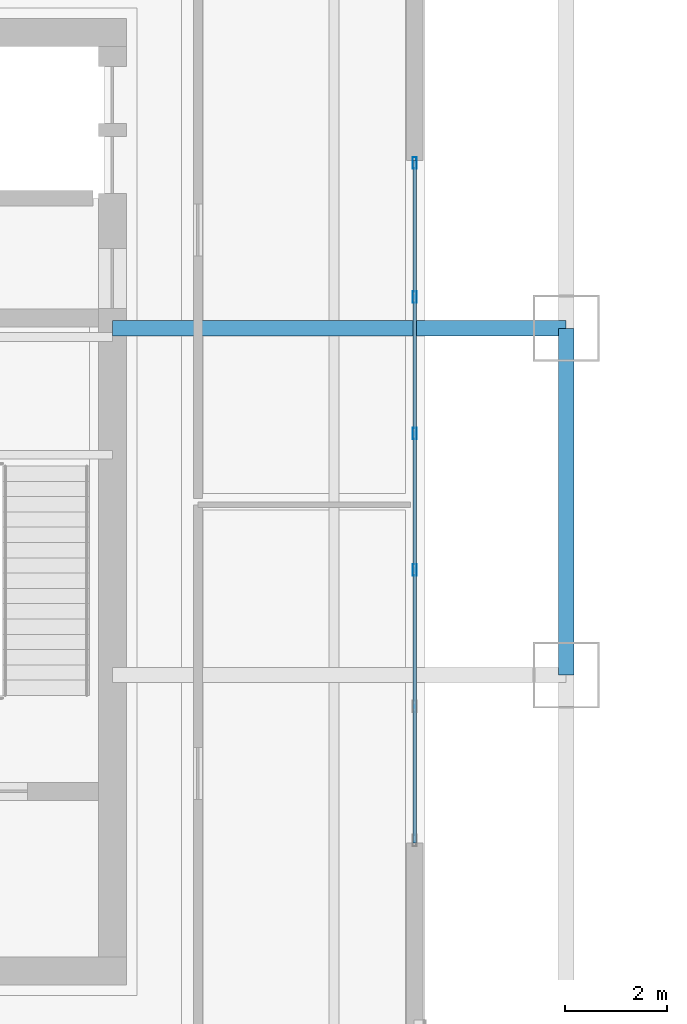
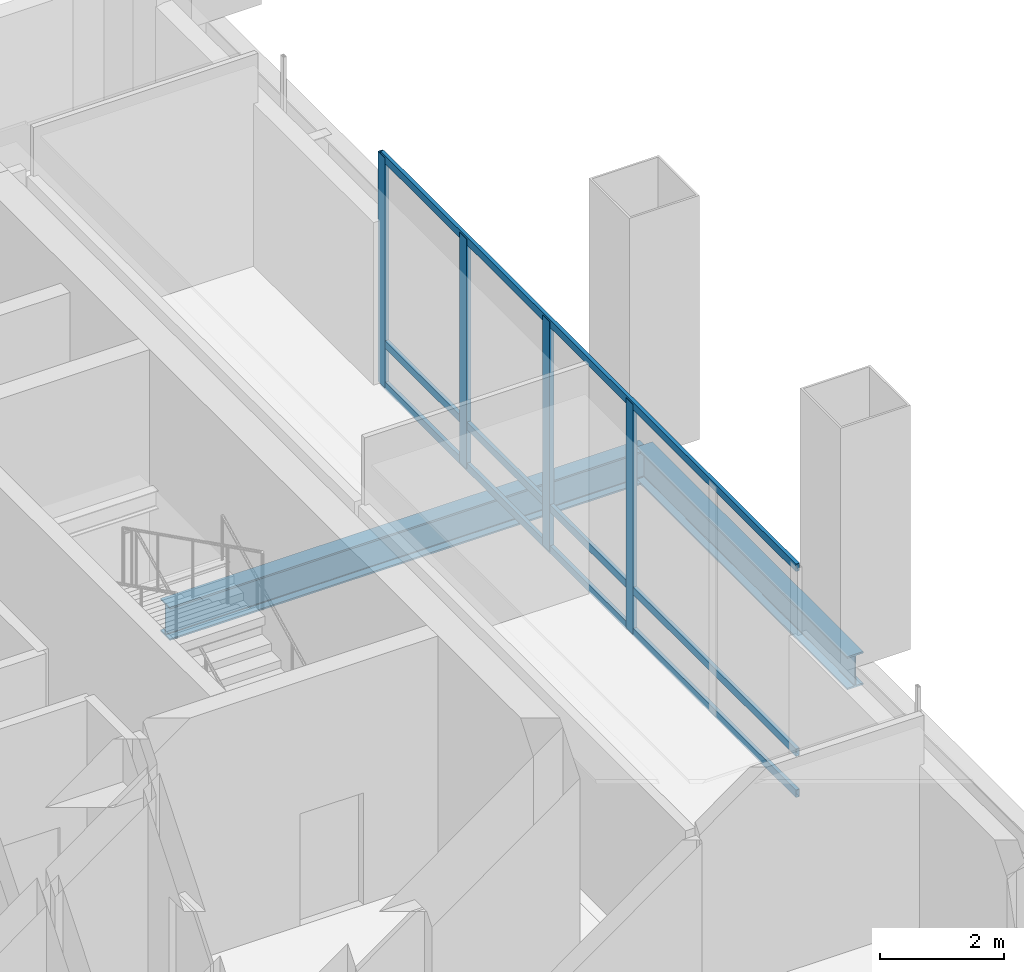
# One storey, part 14 of 33: 7 members, 2 beams, 1 element without a shape of its own.
"""IFC4 building model written with IfcOpenShell, lengths in metres."""

from ifc_helpers import new_model, si_unit, direction, frame, origin, origin_2d, place, context, subcontext, project, spatial, hollow_rectangle, i_section, extrude, material, material_profile, profile_set, type_object, element, aggregate, save


model = new_model("IFC4")

# Units and contexts
model_context = context("Model", 3, precision=1e-05, world=origin(), true_north=direction((0.0, 1.0)))
body_context = subcontext(model_context, "Body", "Model", "MODEL_VIEW")
ifc_project = project(units=[si_unit("LENGTHUNIT", "METRE"), si_unit("AREAUNIT", "SQUARE_METRE"), si_unit("VOLUMEUNIT", "CUBIC_METRE"), si_unit("PLANEANGLEUNIT", "RADIAN"), si_unit("MASSUNIT", "GRAM", prefix="KILO")], contexts=[model_context])

# Site, building, storey
site_placement = place(None, origin())
site = spatial("IfcSite", under=ifc_project, at=site_placement, CompositionType="ELEMENT")
building_placement = place(site_placement, origin())
building = spatial("IfcBuilding", under=site, at=building_placement, Name="Punatoya Terracotta Tower", CompositionType="ELEMENT")
storey_placement = place(building_placement, frame((0.0, 0.0, 246.60009765625)))
storey = spatial("IfcBuildingStorey", under=building, at=storey_placement, Name="L58", CompositionType="ELEMENT", Elevation=246.60009765625)

# Beams
ifc_material_1 = material(Name="Steel S355", Category="steel")
ifc_material_profile_1 = material_profile(ifc_material_1, i_section(OverallWidth=0.300048828125, OverallDepth=0.64990234375, WebThickness=0.01611328125, FlangeThickness=0.031005859375, FilletRadius=0.01806640625, at=origin_2d()))
ifc_profile_set_1 = profile_set([ifc_material_profile_1], Name="Steel S355")
beam_type = type_object("IfcBeamType", Name="BM-PRI-650", PredefinedType="BEAM", material=ifc_profile_set_1)
beam_1_placement = place(storey_placement, frame((19.10009765625, -3.39990234375, -0.585205078125), z_axis=(0.0, 1.0, 0.0), x_axis=(-1.0, 0.0, 0.0)))
element("IfcBeam", 1, at=beam_1_placement, inside=storey, type_object=beam_type, Name="BM-L58-RG-E2", PredefinedType="BEAM", context=body_context, shape_type="SweptSolid", body=[
    extrude(i_section(OverallWidth=0.300048828125, OverallDepth=0.64990234375, WebThickness=0.01611328125, FlangeThickness=0.031005859375, FilletRadius=0.01806640625, at=origin_2d()), origin(), (0.0, 0.0, 1.0), 6.7998046875),
])
beam_2_placement = place(storey_placement, frame((10.199951171875, 3.39990234375, -0.585205078125), z_axis=(1.0, 0.0, 0.0), x_axis=(0.0, 1.0, 0.0)))
element("IfcBeam", 2, at=beam_2_placement, inside=storey, type_object=beam_type, Name="BM-L58-PR-EE", PredefinedType="BEAM", context=body_context, shape_type="SweptSolid", body=[
    extrude(i_section(OverallWidth=0.300048828125, OverallDepth=0.64990234375, WebThickness=0.01611328125, FlangeThickness=0.031005859375, FilletRadius=0.01806640625, at=origin_2d()), origin(), (0.0, 0.0, 1.0), 8.900146484375),
])

# Curtain wall, members
ifc_material_2 = material(Name="Aluminium 6063-T6 + Double Low-E Glass", Category="aluminium")
curtain_wall_type = type_object("IfcCurtainWallType", Name="CW-NCK", PredefinedType="NOTDEFINED", material=ifc_material_2)
curtain_wall_placement = place(storey_placement, origin())
curtain_wall = element("IfcCurtainWall", 3, at=curtain_wall_placement, inside=storey, type_object=curtain_wall_type, Name="L58 Curtain Wall CW-L58-E05-1", PredefinedType="NOTDEFINED")
ifc_material_3 = material(Name="Aluminium 6063-T6", Category="aluminium")
ifc_material_profile_2 = material_profile(ifc_material_3, hollow_rectangle(XDim=0.080078125, YDim=0.22509765625, WallThickness=0.0048828125, at=origin_2d()))
ifc_profile_set_2 = profile_set([ifc_material_profile_2], Name="Aluminium 6063-T6")
member_type_1 = type_object("IfcMemberType", Name="CW-MUL-NCK", PredefinedType="MULLION", material=ifc_profile_set_2)
member_1_placement = place(storey_placement, frame((16.1298828125, -1.337890625, 0.0), z_axis=(0.0, 0.0, 1.0), x_axis=(1.0, 0.0, 0.0)))
member_1 = element("IfcMember", 4, at=member_1_placement, type_object=member_type_1, Name="CW-L58-E05-1 Mullion 02", PredefinedType="MULLION", context=body_context, shape_type="SweptSolid", body=[
    extrude(hollow_rectangle(XDim=0.080078125, YDim=0.22509765625, WallThickness=0.0048828125, at=origin_2d()), origin(), (0.0, 0.0, 1.0), 4.52001953125),
])
member_2_placement = place(storey_placement, frame((16.1298828125, 1.337890625, 0.0), z_axis=(0.0, 0.0, 1.0), x_axis=(1.0, 0.0, 0.0)))
member_2 = element("IfcMember", 5, at=member_2_placement, type_object=member_type_1, Name="CW-L58-E05-1 Mullion 03", PredefinedType="MULLION", context=body_context, shape_type="SweptSolid", body=[
    extrude(hollow_rectangle(XDim=0.080078125, YDim=0.22509765625, WallThickness=0.0048828125, at=origin_2d()), origin(), (0.0, 0.0, 1.0), 4.52001953125),
])
member_3_placement = place(storey_placement, frame((16.1298828125, 4.013916015625, 0.0), z_axis=(0.0, 0.0, 1.0), x_axis=(1.0, 0.0, 0.0)))
member_3 = element("IfcMember", 6, at=member_3_placement, type_object=member_type_1, Name="CW-L58-E05-1 Mullion 04", PredefinedType="MULLION", context=body_context, shape_type="SweptSolid", body=[
    extrude(hollow_rectangle(XDim=0.080078125, YDim=0.22509765625, WallThickness=0.0048828125, at=origin_2d()), origin(), (0.0, 0.0, 1.0), 4.52001953125),
])
member_4_placement = place(storey_placement, frame((16.1298828125, 6.64501953125, 0.0), z_axis=(0.0, 0.0, 1.0), x_axis=(1.0, 0.0, 0.0)))
member_4 = element("IfcMember", 7, at=member_4_placement, type_object=member_type_1, Name="CW-L58-E05-1 Mullion 05", PredefinedType="MULLION", context=body_context, shape_type="SweptSolid", body=[
    extrude(hollow_rectangle(XDim=0.080078125, YDim=0.22509765625, WallThickness=0.0048828125, at=origin_2d()), origin(), (0.0, 0.0, 1.0), 4.52001953125),
])
ifc_material_profile_3 = material_profile(ifc_material_3, hollow_rectangle(XDim=0.068115234375, YDim=0.14990234375, WallThickness=0.00390625, at=origin_2d()))
ifc_profile_set_3 = profile_set([ifc_material_profile_3], Name="Aluminium 6063-T6")
member_type_2 = type_object("IfcMemberType", Name="CW-TRN-TYP", PredefinedType="USERDEFINED", material=ifc_profile_set_3)
member_5_placement = place(storey_placement, frame((16.1298828125, -6.68994140625, 0.039794921875), z_axis=(0.0, 1.0, 0.0), x_axis=(-1.0, 0.0, 0.0)))
member_5 = element("IfcMember", 8, at=member_5_placement, type_object=member_type_2, Name="CW-L58-E05-1 Transom 1", ObjectType="TRANSOM", PredefinedType="USERDEFINED", context=body_context, shape_type="SweptSolid", body=[
    extrude(hollow_rectangle(XDim=0.068115234375, YDim=0.14990234375, WallThickness=0.00390625, at=origin_2d()), origin(), (0.0, 0.0, 1.0), 13.3798828125),
])
member_6_placement = place(storey_placement, frame((16.1298828125, -6.68994140625, 0.849853515625), z_axis=(0.0, 1.0, 0.0), x_axis=(-1.0, 0.0, 0.0)))
member_6 = element("IfcMember", 9, at=member_6_placement, type_object=member_type_2, Name="CW-L58-E05-1 Transom 2", ObjectType="TRANSOM", PredefinedType="USERDEFINED", context=body_context, shape_type="SweptSolid", body=[
    extrude(hollow_rectangle(XDim=0.068115234375, YDim=0.14990234375, WallThickness=0.00390625, at=origin_2d()), origin(), (0.0, 0.0, 1.0), 13.3798828125),
])
member_7_placement = place(storey_placement, frame((16.1298828125, -6.68994140625, 4.47998046875), z_axis=(0.0, 1.0, 0.0), x_axis=(-1.0, 0.0, 0.0)))
member_7 = element("IfcMember", 10, at=member_7_placement, type_object=member_type_2, Name="CW-L58-E05-1 Transom 3", ObjectType="TRANSOM", PredefinedType="USERDEFINED", context=body_context, shape_type="SweptSolid", body=[
    extrude(hollow_rectangle(XDim=0.068115234375, YDim=0.14990234375, WallThickness=0.00390625, at=origin_2d()), origin(), (0.0, 0.0, 1.0), 13.3798828125),
])
aggregate(curtain_wall, [member_1, member_2, member_3, member_4, member_5, member_6, member_7])

save(model, "model.ifc")
